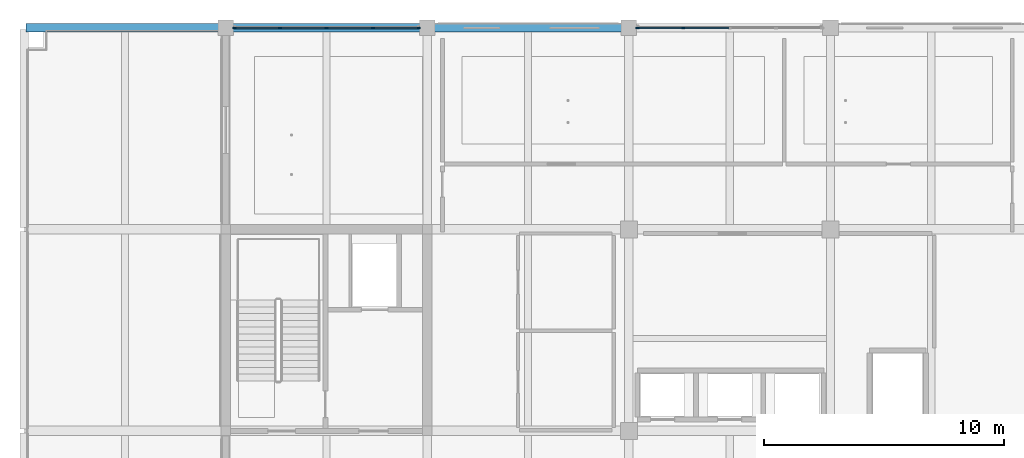
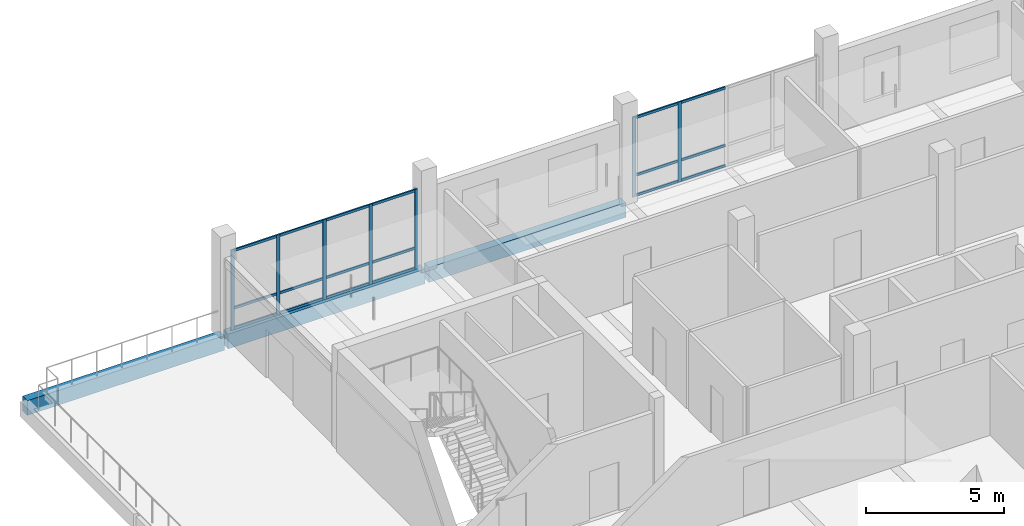
# One storey, part 6 of 28: 25 members, 3 beams, 2 elements without a shape of their own.
"""IFC4 building model written with IfcOpenShell, lengths in metres."""

from ifc_helpers import new_model, si_unit, direction, frame, origin, origin_2d, place, context, subcontext, project, spatial, rectangle, extrude, material, layer, layer_set, material_profile, profile_set, type_object, element, aggregate, save


model = new_model("IFC4")

# Units and contexts
model_context = context("Model", 3, precision=1e-05, world=origin(), true_north=direction((0.0, 1.0)))
body_context = subcontext(model_context, "Body", "Model", "MODEL_VIEW")
ifc_project = project(units=[si_unit("LENGTHUNIT", "METRE"), si_unit("AREAUNIT", "SQUARE_METRE"), si_unit("VOLUMEUNIT", "CUBIC_METRE"), si_unit("PLANEANGLEUNIT", "RADIAN"), si_unit("MASSUNIT", "GRAM", prefix="KILO")], contexts=[model_context])

# Site, building, storey
site_placement = place(None, origin())
site = spatial("IfcSite", under=ifc_project, at=site_placement, CompositionType="ELEMENT")
building_placement = place(site_placement, origin())
building = spatial("IfcBuilding", under=site, at=building_placement, Name="Telukmera Botanical Conservatory", CompositionType="ELEMENT")
storey_placement = place(building_placement, frame((0.0, 0.0, 51.0)))
storey = spatial("IfcBuildingStorey", under=building, at=storey_placement, Name="L11", CompositionType="ELEMENT", Elevation=51.0)

# Beams
ifc_material_1 = material(Name="Precast concrete C40/50", Category="concrete")
ifc_material_profile_1 = material_profile(ifc_material_1, rectangle(XDim=0.35009765625, YDim=0.64990234375, at=origin_2d()), Name="PC 350x650")
ifc_profile_set_1 = profile_set([ifc_material_profile_1], Name="Precast concrete C40/50")
beam_type = type_object("IfcBeamType", Name="Beam_SP3", PredefinedType="SPANDREL", material=ifc_profile_set_1)
beam_1_placement = place(storey_placement, frame((50.47998046875, 42.800048828125, -0.324951171875), z_axis=(1.0, 0.0, 0.0), x_axis=(0.0, 1.0, 0.0)))
element("IfcBeam", 1, at=beam_1_placement, inside=storey, type_object=beam_type, Name="Tower Grid Beam L11", PredefinedType="SPANDREL", context=body_context, shape_type="SweptSolid", body=[
    extrude(rectangle(XDim=0.35009765625, YDim=0.64990234375, at=origin_2d()), origin(), (0.0, 0.0, 1.0), 8.239990234375),
])
beam_2_placement = place(storey_placement, frame((58.8798828125, 42.800048828125, -0.324951171875), z_axis=(1.0, 0.0, 0.0), x_axis=(0.0, 1.0, 0.0)))
element("IfcBeam", 2, at=beam_2_placement, inside=storey, type_object=beam_type, Name="Tower Grid Beam L11", PredefinedType="SPANDREL", context=body_context, shape_type="SweptSolid", body=[
    extrude(rectangle(XDim=0.35009765625, YDim=0.64990234375, at=origin_2d()), origin(), (0.0, 0.0, 1.0), 8.240234375),
])
beam_3_placement = place(storey_placement, frame((67.280029296875, 42.800048828125, -0.324951171875), z_axis=(1.0, 0.0, 0.0), x_axis=(0.0, 1.0, 0.0)))
element("IfcBeam", 3, at=beam_3_placement, inside=storey, type_object=beam_type, Name="Tower Grid Beam L11", PredefinedType="SPANDREL", context=body_context, shape_type="SweptSolid", body=[
    extrude(rectangle(XDim=0.35009765625, YDim=0.64990234375, at=origin_2d()), origin(), (0.0, 0.0, 1.0), 8.239990234375),
])

# Curtain wall, members
ifc_material_2 = material(Name="Anodised aluminium 6063-T6", Category="aluminium")
ifc_layer = layer(ifc_material_2, 0.179931640625)
ifc_layer_set = layer_set([ifc_layer], Name="Anodised aluminium 6063-T6")
curtain_wall_type = type_object("IfcCurtainWallType", Name="Tower Research Laboratory Unitised Curtain Wall", PredefinedType="USERDEFINED", material=ifc_layer_set)
curtain_wall_1_placement = place(storey_placement, origin())
curtain_wall_1 = element("IfcCurtainWall", 4, at=curtain_wall_1_placement, inside=storey, type_object=curtain_wall_type, Name="Unitised Curtain Wall CW15 V4:L11:N1", ObjectType="UNITISED CURTAIN WALL", PredefinedType="USERDEFINED")
ifc_material_profile_2 = material_profile(ifc_material_2, rectangle(XDim=0.06005859375, YDim=0.139892578125, at=origin_2d()), Name="ALU MULL 60x140")
ifc_profile_set_2 = profile_set([ifc_material_profile_2], Name="Anodised aluminium 6063-T6")
member_type_1 = type_object("IfcMemberType", Name="Curtain Wall Extruded Mullion 60x140", PredefinedType="MULLION", material=ifc_profile_set_2)
member_1_placement = place(storey_placement, frame((59.156982421875, 42.800048828125, 0.0), z_axis=(0.0, 0.0, 1.0), x_axis=(0.0, 1.0, 0.0)))
member_1 = element("IfcMember", 5, at=member_1_placement, type_object=member_type_1, Name="CW15 mullion 1", PredefinedType="MULLION", context=body_context, shape_type="SweptSolid", body=[
    extrude(rectangle(XDim=0.06005859375, YDim=0.139892578125, at=origin_2d()), origin(), (0.0, 0.0, 1.0), 3.550048828125),
])
member_2_placement = place(storey_placement, frame((61.0634765625, 42.800048828125, 0.0), z_axis=(0.0, 0.0, 1.0), x_axis=(0.0, 1.0, 0.0)))
member_2 = element("IfcMember", 6, at=member_2_placement, type_object=member_type_1, Name="CW15 mullion 2", PredefinedType="MULLION", context=body_context, shape_type="SweptSolid", body=[
    extrude(rectangle(XDim=0.06005859375, YDim=0.139892578125, at=origin_2d()), origin(), (0.0, 0.0, 1.0), 3.550048828125),
])
member_3_placement = place(storey_placement, frame((63.0, 42.800048828125, 0.0), z_axis=(0.0, 0.0, 1.0), x_axis=(0.0, 1.0, 0.0)))
member_3 = element("IfcMember", 7, at=member_3_placement, type_object=member_type_1, Name="CW15 mullion 3", PredefinedType="MULLION", context=body_context, shape_type="SweptSolid", body=[
    extrude(rectangle(XDim=0.06005859375, YDim=0.139892578125, at=origin_2d()), origin(), (0.0, 0.0, 1.0), 3.550048828125),
])
member_4_placement = place(storey_placement, frame((64.9365234375, 42.800048828125, 0.0), z_axis=(0.0, 0.0, 1.0), x_axis=(0.0, 1.0, 0.0)))
member_4 = element("IfcMember", 8, at=member_4_placement, type_object=member_type_1, Name="CW15 mullion 4", PredefinedType="MULLION", context=body_context, shape_type="SweptSolid", body=[
    extrude(rectangle(XDim=0.06005859375, YDim=0.139892578125, at=origin_2d()), origin(), (0.0, 0.0, 1.0), 3.550048828125),
])
member_5_placement = place(storey_placement, frame((66.843017578125, 42.800048828125, 0.0), z_axis=(0.0, 0.0, 1.0), x_axis=(0.0, 1.0, 0.0)))
member_5 = element("IfcMember", 9, at=member_5_placement, type_object=member_type_1, Name="CW15 mullion 5", PredefinedType="MULLION", context=body_context, shape_type="SweptSolid", body=[
    extrude(rectangle(XDim=0.06005859375, YDim=0.139892578125, at=origin_2d()), origin(), (0.0, 0.0, 1.0), 3.550048828125),
])

curtain_wall_2_placement = place(storey_placement, origin())
curtain_wall_2 = element("IfcCurtainWall", 10, at=curtain_wall_2_placement, inside=storey, type_object=curtain_wall_type, Name="Unitised Curtain Wall CW15 V4:L11:N3", ObjectType="UNITISED CURTAIN WALL", PredefinedType="USERDEFINED")
member_6_placement = place(storey_placement, frame((75.95703125, 42.800048828125, 0.0), z_axis=(0.0, 0.0, 1.0), x_axis=(0.0, 1.0, 0.0)))
member_6 = element("IfcMember", 11, at=member_6_placement, type_object=member_type_1, Name="CW15 mullion 1", PredefinedType="MULLION", context=body_context, shape_type="SweptSolid", body=[
    extrude(rectangle(XDim=0.06005859375, YDim=0.139892578125, at=origin_2d()), origin(), (0.0, 0.0, 1.0), 3.550048828125),
])
member_7_placement = place(storey_placement, frame((77.863525390625, 42.800048828125, 0.0), z_axis=(0.0, 0.0, 1.0), x_axis=(0.0, 1.0, 0.0)))
member_7 = element("IfcMember", 12, at=member_7_placement, type_object=member_type_1, Name="CW15 mullion 2", PredefinedType="MULLION", context=body_context, shape_type="SweptSolid", body=[
    extrude(rectangle(XDim=0.06005859375, YDim=0.139892578125, at=origin_2d()), origin(), (0.0, 0.0, 1.0), 3.550048828125),
])

# Member
ifc_material_profile_3 = material_profile(ifc_material_2, rectangle(XDim=0.06005859375, YDim=0.110107421875, at=origin_2d()), Name="ALU TRAN 60x110")
ifc_profile_set_3 = profile_set([ifc_material_profile_3], Name="Anodised aluminium 6063-T6")
member_type_2 = type_object("IfcMemberType", Name="Curtain Wall Extruded Transom 60x110", PredefinedType="USERDEFINED", material=ifc_profile_set_3)
member_8_placement = place(storey_placement, frame((59.18701171875, 42.800048828125, 0.054931640625), z_axis=(1.0, 0.0, 0.0), x_axis=(0.0, 1.0, 0.0)))
member_8 = element("IfcMember", 13, at=member_8_placement, type_object=member_type_2, Name="CW15 transom 1.1", ObjectType="TRANSOM", PredefinedType="USERDEFINED", context=body_context, shape_type="SweptSolid", body=[
    extrude(rectangle(XDim=0.06005859375, YDim=0.110107421875, at=origin_2d()), origin(), (0.0, 0.0, 1.0), 1.846435546875),
])

member_9_placement = place(storey_placement, frame((59.18701171875, 42.800048828125, 0.949951171875), z_axis=(1.0, 0.0, 0.0), x_axis=(0.0, 1.0, 0.0)))
member_9 = element("IfcMember", 14, at=member_9_placement, type_object=member_type_2, Name="CW15 transom 1.2", ObjectType="TRANSOM", PredefinedType="USERDEFINED", context=body_context, shape_type="SweptSolid", body=[
    extrude(rectangle(XDim=0.06005859375, YDim=0.110107421875, at=origin_2d()), origin(), (0.0, 0.0, 1.0), 1.846435546875),
])

member_10_placement = place(storey_placement, frame((59.18701171875, 42.800048828125, 3.4951171875), z_axis=(1.0, 0.0, 0.0), x_axis=(0.0, 1.0, 0.0)))
member_10 = element("IfcMember", 15, at=member_10_placement, type_object=member_type_2, Name="CW15 transom 1.3", ObjectType="TRANSOM", PredefinedType="USERDEFINED", context=body_context, shape_type="SweptSolid", body=[
    extrude(rectangle(XDim=0.06005859375, YDim=0.110107421875, at=origin_2d()), origin(), (0.0, 0.0, 1.0), 1.846435546875),
])

member_11_placement = place(storey_placement, frame((61.093505859375, 42.800048828125, 0.054931640625), z_axis=(1.0, 0.0, 0.0), x_axis=(0.0, 1.0, 0.0)))
member_11 = element("IfcMember", 16, at=member_11_placement, type_object=member_type_2, Name="CW15 transom 2.1", ObjectType="TRANSOM", PredefinedType="USERDEFINED", context=body_context, shape_type="SweptSolid", body=[
    extrude(rectangle(XDim=0.06005859375, YDim=0.110107421875, at=origin_2d()), origin(), (0.0, 0.0, 1.0), 1.87646484375),
])

member_12_placement = place(storey_placement, frame((61.093505859375, 42.800048828125, 0.949951171875), z_axis=(1.0, 0.0, 0.0), x_axis=(0.0, 1.0, 0.0)))
member_12 = element("IfcMember", 17, at=member_12_placement, type_object=member_type_2, Name="CW15 transom 2.2", ObjectType="TRANSOM", PredefinedType="USERDEFINED", context=body_context, shape_type="SweptSolid", body=[
    extrude(rectangle(XDim=0.06005859375, YDim=0.110107421875, at=origin_2d()), origin(), (0.0, 0.0, 1.0), 1.87646484375),
])

member_13_placement = place(storey_placement, frame((61.093505859375, 42.800048828125, 3.4951171875), z_axis=(1.0, 0.0, 0.0), x_axis=(0.0, 1.0, 0.0)))
member_13 = element("IfcMember", 18, at=member_13_placement, type_object=member_type_2, Name="CW15 transom 2.3", ObjectType="TRANSOM", PredefinedType="USERDEFINED", context=body_context, shape_type="SweptSolid", body=[
    extrude(rectangle(XDim=0.06005859375, YDim=0.110107421875, at=origin_2d()), origin(), (0.0, 0.0, 1.0), 1.87646484375),
])

member_14_placement = place(storey_placement, frame((63.030029296875, 42.800048828125, 0.054931640625), z_axis=(1.0, 0.0, 0.0), x_axis=(0.0, 1.0, 0.0)))
member_14 = element("IfcMember", 19, at=member_14_placement, type_object=member_type_2, Name="CW15 transom 3.1", ObjectType="TRANSOM", PredefinedType="USERDEFINED", context=body_context, shape_type="SweptSolid", body=[
    extrude(rectangle(XDim=0.06005859375, YDim=0.110107421875, at=origin_2d()), origin(), (0.0, 0.0, 1.0), 1.87646484375),
])

member_15_placement = place(storey_placement, frame((63.030029296875, 42.800048828125, 0.949951171875), z_axis=(1.0, 0.0, 0.0), x_axis=(0.0, 1.0, 0.0)))
member_15 = element("IfcMember", 20, at=member_15_placement, type_object=member_type_2, Name="CW15 transom 3.2", ObjectType="TRANSOM", PredefinedType="USERDEFINED", context=body_context, shape_type="SweptSolid", body=[
    extrude(rectangle(XDim=0.06005859375, YDim=0.110107421875, at=origin_2d()), origin(), (0.0, 0.0, 1.0), 1.87646484375),
])

member_16_placement = place(storey_placement, frame((63.030029296875, 42.800048828125, 3.4951171875), z_axis=(1.0, 0.0, 0.0), x_axis=(0.0, 1.0, 0.0)))
member_16 = element("IfcMember", 21, at=member_16_placement, type_object=member_type_2, Name="CW15 transom 3.3", ObjectType="TRANSOM", PredefinedType="USERDEFINED", context=body_context, shape_type="SweptSolid", body=[
    extrude(rectangle(XDim=0.06005859375, YDim=0.110107421875, at=origin_2d()), origin(), (0.0, 0.0, 1.0), 1.87646484375),
])

member_17_placement = place(storey_placement, frame((64.966552734375, 42.800048828125, 0.054931640625), z_axis=(1.0, 0.0, 0.0), x_axis=(0.0, 1.0, 0.0)))
member_17 = element("IfcMember", 22, at=member_17_placement, type_object=member_type_2, Name="CW15 transom 4.1", ObjectType="TRANSOM", PredefinedType="USERDEFINED", context=body_context, shape_type="SweptSolid", body=[
    extrude(rectangle(XDim=0.06005859375, YDim=0.110107421875, at=origin_2d()), origin(), (0.0, 0.0, 1.0), 1.846435546875),
])

member_18_placement = place(storey_placement, frame((64.966552734375, 42.800048828125, 0.949951171875), z_axis=(1.0, 0.0, 0.0), x_axis=(0.0, 1.0, 0.0)))
member_18 = element("IfcMember", 23, at=member_18_placement, type_object=member_type_2, Name="CW15 transom 4.2", ObjectType="TRANSOM", PredefinedType="USERDEFINED", context=body_context, shape_type="SweptSolid", body=[
    extrude(rectangle(XDim=0.06005859375, YDim=0.110107421875, at=origin_2d()), origin(), (0.0, 0.0, 1.0), 1.846435546875),
])

member_19_placement = place(storey_placement, frame((64.966552734375, 42.800048828125, 3.4951171875), z_axis=(1.0, 0.0, 0.0), x_axis=(0.0, 1.0, 0.0)))
member_19 = element("IfcMember", 24, at=member_19_placement, type_object=member_type_2, Name="CW15 transom 4.3", ObjectType="TRANSOM", PredefinedType="USERDEFINED", context=body_context, shape_type="SweptSolid", body=[
    extrude(rectangle(XDim=0.06005859375, YDim=0.110107421875, at=origin_2d()), origin(), (0.0, 0.0, 1.0), 1.846435546875),
])

aggregate(curtain_wall_1, [member_1, member_2, member_3, member_4, member_5, member_8, member_9, member_10, member_11, member_12, member_13, member_14, member_15, member_16, member_17, member_18, member_19])

member_20_placement = place(storey_placement, frame((75.987060546875, 42.800048828125, 0.054931640625), z_axis=(1.0, 0.0, 0.0), x_axis=(0.0, 1.0, 0.0)))
member_20 = element("IfcMember", 25, at=member_20_placement, type_object=member_type_2, Name="CW15 transom 1.1", ObjectType="TRANSOM", PredefinedType="USERDEFINED", context=body_context, shape_type="SweptSolid", body=[
    extrude(rectangle(XDim=0.06005859375, YDim=0.110107421875, at=origin_2d()), origin(), (0.0, 0.0, 1.0), 1.846435546875),
])

member_21_placement = place(storey_placement, frame((75.987060546875, 42.800048828125, 0.949951171875), z_axis=(1.0, 0.0, 0.0), x_axis=(0.0, 1.0, 0.0)))
member_21 = element("IfcMember", 26, at=member_21_placement, type_object=member_type_2, Name="CW15 transom 1.2", ObjectType="TRANSOM", PredefinedType="USERDEFINED", context=body_context, shape_type="SweptSolid", body=[
    extrude(rectangle(XDim=0.06005859375, YDim=0.110107421875, at=origin_2d()), origin(), (0.0, 0.0, 1.0), 1.846435546875),
])

member_22_placement = place(storey_placement, frame((75.987060546875, 42.800048828125, 3.4951171875), z_axis=(1.0, 0.0, 0.0), x_axis=(0.0, 1.0, 0.0)))
member_22 = element("IfcMember", 27, at=member_22_placement, type_object=member_type_2, Name="CW15 transom 1.3", ObjectType="TRANSOM", PredefinedType="USERDEFINED", context=body_context, shape_type="SweptSolid", body=[
    extrude(rectangle(XDim=0.06005859375, YDim=0.110107421875, at=origin_2d()), origin(), (0.0, 0.0, 1.0), 1.846435546875),
])

member_23_placement = place(storey_placement, frame((77.8935546875, 42.800048828125, 0.054931640625), z_axis=(1.0, 0.0, 0.0), x_axis=(0.0, 1.0, 0.0)))
member_23 = element("IfcMember", 28, at=member_23_placement, type_object=member_type_2, Name="CW15 transom 2.1", ObjectType="TRANSOM", PredefinedType="USERDEFINED", context=body_context, shape_type="SweptSolid", body=[
    extrude(rectangle(XDim=0.06005859375, YDim=0.110107421875, at=origin_2d()), origin(), (0.0, 0.0, 1.0), 1.87646484375),
])

member_24_placement = place(storey_placement, frame((77.8935546875, 42.800048828125, 0.949951171875), z_axis=(1.0, 0.0, 0.0), x_axis=(0.0, 1.0, 0.0)))
member_24 = element("IfcMember", 29, at=member_24_placement, type_object=member_type_2, Name="CW15 transom 2.2", ObjectType="TRANSOM", PredefinedType="USERDEFINED", context=body_context, shape_type="SweptSolid", body=[
    extrude(rectangle(XDim=0.06005859375, YDim=0.110107421875, at=origin_2d()), origin(), (0.0, 0.0, 1.0), 1.87646484375),
])

member_25_placement = place(storey_placement, frame((77.8935546875, 42.800048828125, 3.4951171875), z_axis=(1.0, 0.0, 0.0), x_axis=(0.0, 1.0, 0.0)))
member_25 = element("IfcMember", 30, at=member_25_placement, type_object=member_type_2, Name="CW15 transom 2.3", ObjectType="TRANSOM", PredefinedType="USERDEFINED", context=body_context, shape_type="SweptSolid", body=[
    extrude(rectangle(XDim=0.06005859375, YDim=0.110107421875, at=origin_2d()), origin(), (0.0, 0.0, 1.0), 1.87646484375),
])

aggregate(curtain_wall_2, [member_6, member_7, member_20, member_21, member_22, member_23, member_24, member_25])

save(model, "model.ifc")
